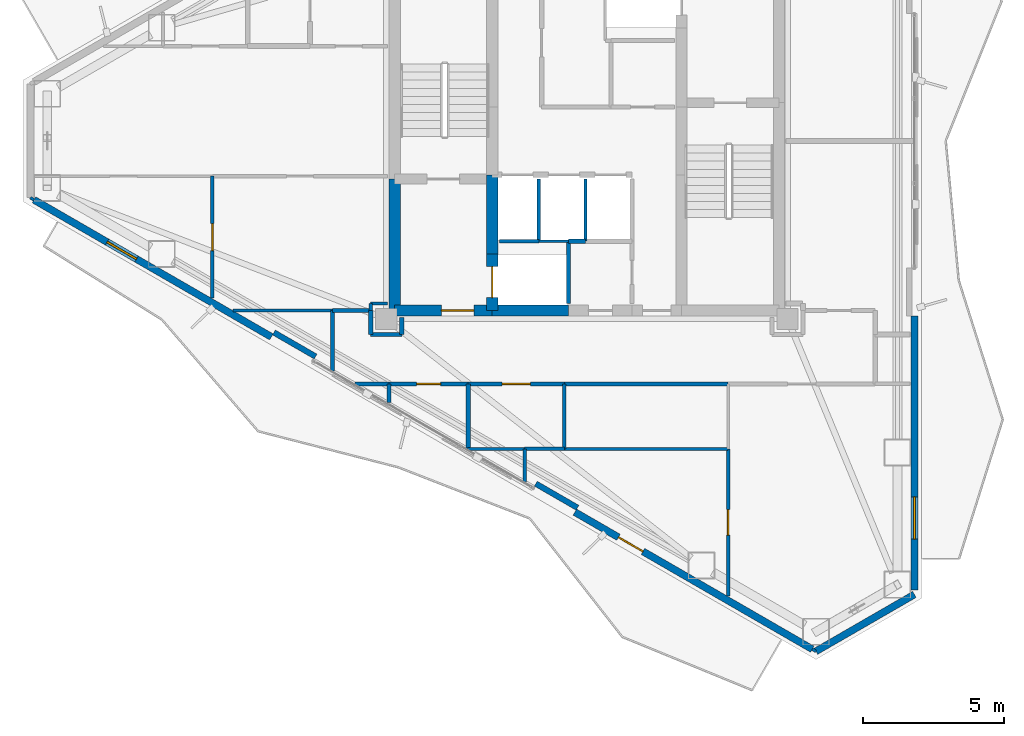
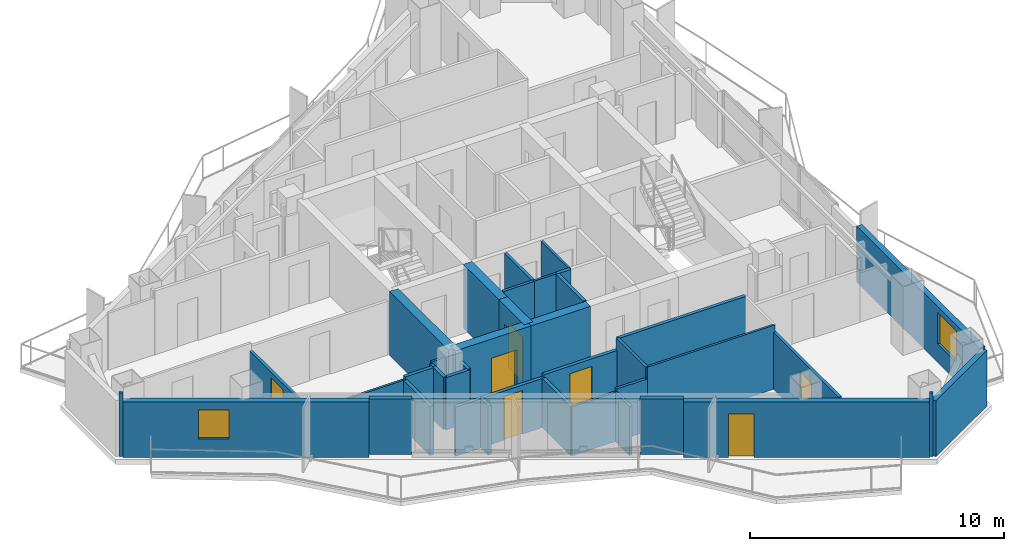
# One storey, part 16 of 21: 40 walls, 7 doors, 2 windows, 9 openings.
"""IFC4 building model written with IfcOpenShell, lengths in metres."""

from ifc_helpers import new_model, si_unit, direction, frame, frame_2d, origin, place, context, subcontext, project, spatial, rectangle, extrude, material, layer, layer_set, type_object, element, fill, save


model = new_model("IFC4")

# Units and contexts
model_context = context("Model", 3, precision=1e-05, world=origin(), true_north=direction((0.0, 1.0)))
body_context = subcontext(model_context, "Body", "Model", "MODEL_VIEW")
ifc_project = project(units=[si_unit("LENGTHUNIT", "METRE"), si_unit("AREAUNIT", "SQUARE_METRE"), si_unit("VOLUMEUNIT", "CUBIC_METRE"), si_unit("PLANEANGLEUNIT", "RADIAN"), si_unit("MASSUNIT", "GRAM", prefix="KILO")], contexts=[model_context])

# Site, building, storey
site_placement = place(None, origin())
site = spatial("IfcSite", under=ifc_project, at=site_placement, CompositionType="ELEMENT")
building_placement = place(site_placement, origin())
building = spatial("IfcBuilding", under=site, at=building_placement, Name="Mersakhor Tower and Convention Hall", CompositionType="ELEMENT")
storey_placement = place(building_placement, frame((0.0, 0.0, 185.39990234375)))
storey = spatial("IfcBuildingStorey", under=building, at=storey_placement, Name="L51", CompositionType="ELEMENT", Elevation=185.39990234375)

# Wall
ifc_material_1 = material(Name="Precast concrete C40/50", Category="concrete")
ifc_layer_1 = layer(ifc_material_1, 0.25)
ifc_layer_set_1 = layer_set([ifc_layer_1], Name="Precast concrete C40/50")
wall_type_1 = type_object("IfcWallType", Name="WL-EXT-250", PredefinedType="SOLIDWALL", material=ifc_layer_set_1)
wall_1_placement = place(storey_placement, frame((40.58837890625, 10.70166015625, 0.0), z_axis=(0.0, 0.0, 1.0), x_axis=(-0.866023907196, -0.500002592159, 0.0)))
element("IfcWall", 1, at=wall_1_placement, inside=storey, type_object=wall_type_1, Name="L51 Chamfer Braced Spandrel Wall C2", PredefinedType="SOLIDWALL", context=body_context, shape_type="SweptSolid", body=[
    extrude(rectangle(XDim=4.0234375, YDim=0.25, at=frame_2d((2.01171875, 0.0))), origin(), (0.0, 0.0, 1.0), 2.690185546875),
])

# Wall, opening, window
wall_2_placement = place(storey_placement, frame((40.58837890625, 20.550537109375, 0.0), z_axis=(0.0, 0.0, 1.0), x_axis=(0.0, -1.0, 0.0)))
wall_2 = element("IfcWall", 2, at=wall_2_placement, inside=storey, type_object=wall_type_1, Name="L51 Exterior Facade Wall F2-B3", PredefinedType="SOLIDWALL", context=body_context, shape_type="SweptSolid", body=[
    extrude(rectangle(XDim=9.698974609375, YDim=0.25, at=frame_2d((4.849609375, 0.0))), origin(), (0.0, 0.0, 1.0), 2.690185546875),
])
opening_1_placement = place(wall_2_placement, frame((6.39501953125, 0.0, 0.89990234375)))
opening_1 = element("IfcOpeningElement", 3, at=opening_1_placement, cuts=wall_2, Name="Opening W-02", PredefinedType="OPENING", context=body_context, shape_type="SweptSolid", body=[
    extrude(rectangle(XDim=1.5, YDim=1.5, at=frame_2d((0.75, 0.75))), frame((0.0, 0.135009765625, 0.0), z_axis=(0.0, -1.0, 0.0), x_axis=(1.0, 0.0, 0.0)), (0.0, 0.0, 1.0), 0.27001953125),
])
ifc_material_2 = material(Name="Dark solar low-E glazed aluminium window", Category="aluminium")
window_type_1 = type_object("IfcWindowType", Name="WN-RES-150x150", PartitioningType="SINGLE_PANEL", PredefinedType="WINDOW", material=ifc_material_2)
window_1_placement = place(opening_1_placement, origin())
window_1 = element("IfcWindow", 4, at=window_1_placement, inside=storey, type_object=window_type_1, Name="L51 Facade Punched Window F2-B3", OverallHeight=1.5, OverallWidth=1.5, PartitioningType="SINGLE_PANEL", PredefinedType="WINDOW", context=body_context, shape_type="SweptSolid", body=[
    extrude(rectangle(XDim=1.5, YDim=1.5, at=frame_2d((0.75, 0.75))), frame((0.0, 0.030029296875, 0.0), z_axis=(0.0, -1.0, 0.0), x_axis=(1.0, 0.0, 0.0)), (0.0, 0.0, 1.0), 0.06005859375),
])
fill(opening_1, window_1)

# Wall, opening, door
wall_3_placement = place(storey_placement, frame((36.97412109375, 8.764892578125, 0.0), z_axis=(0.0, 0.0, 1.0), x_axis=(-0.866016233231, 0.500015883528, 0.0)))
wall_3 = element("IfcWall", 5, at=wall_3_placement, inside=storey, type_object=wall_type_1, Name="L51 Exterior Facade Wall F3-B1", PredefinedType="SOLIDWALL", context=body_context, shape_type="SweptSolid", body=[
    extrude(rectangle(XDim=9.698974609375, YDim=0.25, at=frame_2d((4.849609375, 0.0))), origin(), (0.0, 0.0, 1.0), 2.690185546875),
])
opening_2_placement = place(wall_3_placement, frame((6.9189453125, 0.0, 0.0)))
opening_2 = element("IfcOpeningElement", 6, at=opening_2_placement, cuts=wall_3, Name="Opening BD-01", PredefinedType="OPENING", context=body_context, shape_type="SweptSolid", body=[
    extrude(rectangle(XDim=1.0, YDim=2.10009765625, at=frame_2d((0.5, 1.050048828125))), frame((0.0, 0.135009765625, 0.0), z_axis=(0.0, -1.0, 0.0), x_axis=(1.0, 0.0, 0.0)), (0.0, 0.0, 1.0), 0.27001953125),
])
ifc_material_3 = material(Name="Thermally broken dark aluminium and safety glass", Category="aluminium")
door_type_1 = type_object("IfcDoorType", Name="DR-BAL-100x210", OperationType="NOTDEFINED", PredefinedType="DOOR", material=ifc_material_3)
door_1_placement = place(opening_2_placement, origin())
door_1 = element("IfcDoor", 7, at=door_1_placement, inside=storey, type_object=door_type_1, Name="L51 Balcony Terrace Door F3-B1", OperationType="SINGLE_SWING_LEFT", OverallHeight=2.10009765625, OverallWidth=1.0, PredefinedType="DOOR", context=body_context, shape_type="SweptSolid", body=[
    extrude(rectangle(XDim=1.0, YDim=2.10009765625, at=frame_2d((0.5, 1.050048828125))), frame((0.0, 0.02490234375, 0.0), z_axis=(0.0, -1.0, 0.0), x_axis=(1.0, 0.0, 0.0)), (0.0, 0.0, 1.0), 0.050048828125),
])
fill(opening_2, door_1)

# Wall, opening, window
wall_4_placement = place(storey_placement, frame((17.8369140625, 19.81396484375, 0.0), z_axis=(0.0, 0.0, 1.0), x_axis=(-0.866027133173, 0.499997004599, 0.0)))
wall_4 = element("IfcWall", 8, at=wall_4_placement, inside=storey, type_object=wall_type_1, Name="L51 Exterior Facade Wall F3-B3", PredefinedType="SOLIDWALL", context=body_context, shape_type="SweptSolid", body=[
    extrude(rectangle(XDim=9.69873046875, YDim=0.25, at=frame_2d((4.849365234375, 0.0))), origin(), (0.0, 0.0, 1.0), 2.690185546875),
])
opening_3_placement = place(wall_4_placement, frame((5.511962890625, 0.0, 0.89990234375)))
opening_3 = element("IfcOpeningElement", 9, at=opening_3_placement, cuts=wall_4, Name="Opening W-01", PredefinedType="OPENING", context=body_context, shape_type="SweptSolid", body=[
    extrude(rectangle(XDim=1.199951171875, YDim=1.39990234375, at=frame_2d((0.60009765625, 0.699951171875))), frame((0.0, 0.135009765625, 0.0), z_axis=(0.0, -1.0, 0.0), x_axis=(1.0, 0.0, 0.0)), (0.0, 0.0, 1.0), 0.27001953125),
])
ifc_material_4 = material(Name="Dark solar low-E glazed aluminium window", Category="aluminium")
window_type_2 = type_object("IfcWindowType", Name="WN-RES-120x150", PartitioningType="SINGLE_PANEL", PredefinedType="WINDOW", material=ifc_material_4)
window_2_placement = place(opening_3_placement, origin())
window_2 = element("IfcWindow", 10, at=window_2_placement, inside=storey, type_object=window_type_2, Name="L51 Bedroom Facade Window F3-B3-1", OverallHeight=1.39990234375, OverallWidth=1.199951171875, PartitioningType="SINGLE_PANEL", PredefinedType="WINDOW", context=body_context, shape_type="SweptSolid", body=[
    extrude(rectangle(XDim=1.199951171875, YDim=1.39990234375, at=frame_2d((0.60009765625, 0.699951171875))), frame((0.0, 0.030029296875, 0.0), z_axis=(0.0, -1.0, 0.0), x_axis=(1.0, 0.0, 0.0)), (0.0, 0.0, 1.0), 0.06005859375),
])
fill(opening_3, window_2)

# Walls
ifc_material_5 = material(Name="Precast concrete C40/50", Category="concrete")
ifc_layer_2 = layer(ifc_material_5, 0.199951171875)
ifc_layer_set_2 = layer_set([ifc_layer_2], Name="Precast concrete C40/50")
wall_type_2 = type_object("IfcWallType", Name="WL-PAR-200", PredefinedType="PARAPET", material=ifc_layer_set_2)
wall_5_placement = place(storey_placement, frame((28.664794921875, 13.770263671875, 0.0), z_axis=(0.0, 0.0, 1.0), x_axis=(-0.866025371046, 0.500000056704, 0.0)))
element("IfcWall", 11, at=wall_5_placement, inside=storey, type_object=wall_type_2, Name="L51 Column Pier Cladding Wall F3-C1", PredefinedType="PARAPET", context=body_context, shape_type="SweptSolid", body=[
    extrude(rectangle(XDim=1.7001953125, YDim=0.199951171875, at=frame_2d((0.85009765625, 0.0))), origin(), (0.0, 0.0, 1.0), 2.690185546875),
])
wall_6_placement = place(storey_placement, frame((19.399169921875, 19.119873046875, 0.0), z_axis=(0.0, 0.0, 1.0), x_axis=(-0.86605165483, 0.499954529098, 0.0)))
element("IfcWall", 12, at=wall_6_placement, inside=storey, type_object=wall_type_2, Name="L51 Column Pier Cladding Wall F3-C2", PredefinedType="PARAPET", context=body_context, shape_type="SweptSolid", body=[
    extrude(rectangle(XDim=1.699951171875, YDim=0.199951171875, at=frame_2d((0.85009765625, 0.0))), origin(), (0.0, 0.0, 1.0), 2.690185546875),
])
ifc_material_6 = material(Name="Lightweight gypsum partition", Category="other")
ifc_layer_3 = layer(ifc_material_6, 0.10009765625)
ifc_layer_set_3 = layer_set([ifc_layer_3], Name="Lightweight gypsum partition")
wall_type_3 = type_object("IfcWallType", Name="WL-PRT-100", PredefinedType="PARTITIONING", material=ifc_layer_set_3)
wall_7_placement = place(storey_placement, frame((27.300048828125, 23.199951171875, 0.0), z_axis=(0.0, 0.0, 1.0), x_axis=(1.0, 0.0, 0.0)))
element("IfcWall", 13, at=wall_7_placement, inside=storey, type_object=wall_type_3, Name="L51 Interior Partition Wall P-002", PredefinedType="PARTITIONING", context=body_context, shape_type="SweptSolid", body=[
    extrude(rectangle(XDim=1.050048828125, YDim=0.10009765625, at=frame_2d((0.52490234375, 0.0))), origin(), (0.0, 0.0, 1.0), 3.070068359375),
])
wall_8_placement = place(storey_placement, frame((28.949951171875, 25.39990234375, 0.0), z_axis=(0.0, 0.0, 1.0), x_axis=(0.0, -1.0, 0.0)))
element("IfcWall", 14, at=wall_8_placement, inside=storey, type_object=wall_type_3, Name="L51 Interior Partition Wall P-008", PredefinedType="PARTITIONING", context=body_context, shape_type="SweptSolid", body=[
    extrude(rectangle(XDim=2.199951171875, YDim=0.10009765625, at=frame_2d((1.10009765625, 0.0))), origin(), (0.0, 0.0, 1.0), 3.070068359375),
])
wall_9_placement = place(storey_placement, frame((37.10400390625, 8.68994140625, 0.0), z_axis=(0.0, 0.0, 1.0), x_axis=(-0.866131372301, 0.499816412211, 0.0)))
element("IfcWall", 15, at=wall_9_placement, inside=storey, type_object=wall_type_3, Name="L51 Interior Partition Wall P-070", PredefinedType="PARTITIONING", context=body_context, shape_type="SweptSolid", body=[
    extrude(rectangle(XDim=0.14990234375, YDim=0.10009765625, at=frame_2d((0.074951171875, 0.0))), origin(), (0.0, 0.0, 1.0), 3.070068359375),
])
wall_10_placement = place(storey_placement, frame((26.800048828125, 15.85009765625, 0.0), z_axis=(0.0, 0.0, 1.0), x_axis=(-1.0, 0.0, 0.0)))
element("IfcWall", 16, at=wall_10_placement, inside=storey, type_object=wall_type_3, Name="L51 Interior Partition Wall P-084", PredefinedType="PARTITIONING", context=body_context, shape_type="SweptSolid", body=[
    extrude(rectangle(XDim=2.028564453125, YDim=0.10009765625, at=frame_2d((1.01416015625, 0.0))), origin(), (0.0, 0.0, 1.0), 2.364990234375),
])
wall_11_placement = place(storey_placement, frame((28.199951171875, 15.85009765625, 0.0), z_axis=(0.0, 0.0, 1.0), x_axis=(1.0, 0.0, 0.0)))
element("IfcWall", 17, at=wall_11_placement, inside=storey, type_object=wall_type_3, Name="L51 Interior Partition Wall P-086", PredefinedType="PARTITIONING", context=body_context, shape_type="SweptSolid", body=[
    extrude(rectangle(XDim=5.800048828125, YDim=0.10009765625, at=frame_2d((2.89990234375, 0.0))), origin(), (0.0, 0.0, 1.0), 3.070068359375),
])
wall_12_placement = place(storey_placement, frame((9.437255859375, 24.662841796875, 0.0), z_axis=(0.0, 0.0, 1.0), x_axis=(-0.866239593359, 0.499628829129, 0.0)))
element("IfcWall", 18, at=wall_12_placement, inside=storey, type_object=wall_type_3, Name="L51 Interior Partition Wall P-092", PredefinedType="PARTITIONING", context=body_context, shape_type="SweptSolid", body=[
    extrude(rectangle(XDim=0.150390625, YDim=0.10009765625, at=frame_2d((0.0751953125, 0.0))), origin(), (0.0, 0.0, 1.0), 3.070068359375),
])
wall_13_placement = place(storey_placement, frame((21.949951171875, 21.0, 0.0), z_axis=(0.0, 0.0, 1.0), x_axis=(-1.0, 0.0, 0.0)))
element("IfcWall", 19, at=wall_13_placement, inside=storey, type_object=wall_type_3, Name="L51 Interior Partition Wall P-094", PredefinedType="PARTITIONING", context=body_context, shape_type="SweptSolid", body=[
    extrude(rectangle(XDim=0.599853515625, YDim=0.10009765625, at=frame_2d((0.2998046875, 0.0))), origin(), (0.0, 0.0, 1.0), 2.59521484375),
])
wall_14_placement = place(storey_placement, frame((20.0, 20.75, 0.0), z_axis=(0.0, 0.0, 1.0), x_axis=(-1.0, 0.0, 0.0)))
element("IfcWall", 20, at=wall_14_placement, inside=storey, type_object=wall_type_3, Name="L51 Interior Partition Wall P-096", PredefinedType="PARTITIONING", context=body_context, shape_type="SweptSolid", body=[
    extrude(rectangle(XDim=3.513671875, YDim=0.10009765625, at=frame_2d((1.7568359375, 0.0))), origin(), (0.0, 0.0, 1.0), 2.364990234375),
])
ifc_material_7 = material(Name="Gypsum board acoustic partition", Category="other")
ifc_layer_4 = layer(ifc_material_7, 0.125)
ifc_layer_set_4 = layer_set([ifc_layer_4], Name="Gypsum board acoustic partition")
wall_type_4 = type_object("IfcWallType", Name="WL-PRT-125", PredefinedType="PARTITIONING", material=ifc_layer_set_4)
wall_15_placement = place(storey_placement, frame((25.89990234375, 23.199951171875, 0.0), z_axis=(0.0, 0.0, 1.0), x_axis=(1.0, 0.0, 0.0)))
element("IfcWall", 21, at=wall_15_placement, inside=storey, type_object=wall_type_4, Name="L51 Interior Partition Wall P-001", PredefinedType="PARTITIONING", context=body_context, shape_type="SweptSolid", body=[
    extrude(rectangle(XDim=1.400146484375, YDim=0.125, at=frame_2d((0.7001953125, 0.0))), origin(), (0.0, 0.0, 1.0), 3.070068359375),
])
wall_16_placement = place(storey_placement, frame((27.300048828125, 25.39990234375, 0.0), z_axis=(0.0, 0.0, 1.0), x_axis=(0.0, -1.0, 0.0)))
element("IfcWall", 22, at=wall_16_placement, inside=storey, type_object=wall_type_4, Name="L51 Interior Partition Wall P-007", PredefinedType="PARTITIONING", context=body_context, shape_type="SweptSolid", body=[
    extrude(rectangle(XDim=2.199951171875, YDim=0.125, at=frame_2d((1.10009765625, 0.0))), origin(), (0.0, 0.0, 1.0), 3.070068359375),
])

# Wall, opening, door
wall_17_placement = place(storey_placement, frame((34.0, 10.654296875, 0.0), z_axis=(0.0, 0.0, 1.0), x_axis=(0.0, 1.0, 0.0)))
wall_17 = element("IfcWall", 23, at=wall_17_placement, inside=storey, type_object=wall_type_4, Name="L51 Interior Partition Wall P-071", PredefinedType="PARTITIONING", context=body_context, shape_type="SweptSolid", body=[
    extrude(rectangle(XDim=5.19580078125, YDim=0.125, at=frame_2d((2.597900390625, 0.0))), origin(), (0.0, 0.0, 1.0), 2.734619140625),
])
opening_4_placement = place(wall_17_placement, frame((2.14794921875, 0.0, 0.0)))
opening_4 = element("IfcOpeningElement", 24, at=opening_4_placement, cuts=wall_17, Name="Opening WD-01", PredefinedType="OPENING", context=body_context, shape_type="SweptSolid", body=[
    extrude(rectangle(XDim=0.89990234375, YDim=2.10009765625, at=frame_2d((0.449951171875, 1.050048828125))), frame((0.0, 0.072509765625, 0.0), z_axis=(0.0, -1.0, 0.0), x_axis=(1.0, 0.0, 0.0)), (0.0, 0.0, 1.0), 0.14501953125),
])
ifc_material_8 = material(Name="Solid-core hardwood leaf in painted steel frame", Category="steel")
door_type_2 = type_object("IfcDoorType", Name="DR-INT-WET-090x210", OperationType="NOTDEFINED", PredefinedType="DOOR", material=ifc_material_8)
door_2_placement = place(opening_4_placement, origin())
door_2 = element("IfcDoor", 25, at=door_2_placement, inside=storey, type_object=door_type_2, Name="L51 L51 South-East Shared Pantry to L51 Floor Residents Study Room 2-3 Door", OperationType="SINGLE_SWING_RIGHT", OverallHeight=2.10009765625, OverallWidth=0.89990234375, PredefinedType="DOOR", context=body_context, shape_type="SweptSolid", body=[
    extrude(rectangle(XDim=0.89990234375, YDim=2.10009765625, at=frame_2d((0.449951171875, 1.050048828125))), frame((0.0, 0.02490234375, 0.0), z_axis=(0.0, -1.0, 0.0), x_axis=(1.0, 0.0, 0.0)), (0.0, 0.0, 1.0), 0.050048828125),
])
fill(opening_4, door_2)

# Walls
wall_18_placement = place(storey_placement, frame((28.199951171875, 15.85009765625, 0.0), z_axis=(0.0, 0.0, 1.0), x_axis=(-1.0, 0.0, 0.0)))
element("IfcWall", 26, at=wall_18_placement, inside=storey, type_object=wall_type_4, Name="L51 Interior Partition Wall P-083", PredefinedType="PARTITIONING", context=body_context, shape_type="SweptSolid", body=[
    extrude(rectangle(XDim=1.39990234375, YDim=0.125, at=frame_2d((0.699951171875, 0.0))), origin(), (0.0, 0.0, 1.0), 2.518310546875),
])
wall_19_placement = place(storey_placement, frame((28.199951171875, 18.14990234375, 0.0), z_axis=(0.0, 0.0, 1.0), x_axis=(0.0, -1.0, 0.0)))
element("IfcWall", 27, at=wall_19_placement, inside=storey, type_object=wall_type_4, Name="L51 Interior Partition Wall P-085", PredefinedType="PARTITIONING", context=body_context, shape_type="SweptSolid", body=[
    extrude(rectangle(XDim=2.2998046875, YDim=0.125, at=frame_2d((1.14990234375, 0.0))), origin(), (0.0, 0.0, 1.0), 3.070068359375),
])
wall_20_placement = place(storey_placement, frame((26.800048828125, 14.682861328125, 0.0), z_axis=(0.0, 0.0, 1.0), x_axis=(0.0, 1.0, 0.0)))
element("IfcWall", 28, at=wall_20_placement, inside=storey, type_object=wall_type_4, Name="L51 Interior Partition Wall P-087", PredefinedType="PARTITIONING", context=body_context, shape_type="SweptSolid", body=[
    extrude(rectangle(XDim=1.167236328125, YDim=0.125, at=frame_2d((0.58349609375, 0.0))), origin(), (0.0, 0.0, 1.0), 2.364990234375),
])

# Wall, opening, door
wall_21_placement = place(storey_placement, frame((15.75, 25.5, 0.0), z_axis=(0.0, 0.0, 1.0), x_axis=(0.0, -1.0, 0.0)))
wall_21 = element("IfcWall", 29, at=wall_21_placement, inside=storey, type_object=wall_type_4, Name="L51 Interior Partition Wall P-093", PredefinedType="PARTITIONING", context=body_context, shape_type="SweptSolid", body=[
    extrude(rectangle(XDim=4.30908203125, YDim=0.125, at=frame_2d((2.154541015625, 0.0))), origin(), (0.0, 0.0, 1.0), 2.364990234375),
])
opening_5_placement = place(wall_21_placement, frame((1.6796875, 0.0, 0.0)))
opening_5 = element("IfcOpeningElement", 30, at=opening_5_placement, cuts=wall_21, Name="Opening RD-01", PredefinedType="OPENING", context=body_context, shape_type="SweptSolid", body=[
    extrude(rectangle(XDim=0.949951171875, YDim=2.10009765625, at=frame_2d((0.47509765625, 1.050048828125))), frame((0.0, 0.072509765625, 0.0), z_axis=(0.0, -1.0, 0.0), x_axis=(1.0, 0.0, 0.0)), (0.0, 0.0, 1.0), 0.14501953125),
])
ifc_material_9 = material(Name="Solid-core hardwood leaf in painted steel frame", Category="steel")
door_type_3 = type_object("IfcDoorType", Name="DR-INT-RM-095x210", OperationType="NOTDEFINED", PredefinedType="DOOR", material=ifc_material_9)
door_3_placement = place(opening_5_placement, origin())
door_3 = element("IfcDoor", 31, at=door_3_placement, inside=storey, type_object=door_type_3, Name="L51 L51 Flat W3 Bedroom 1 to L51 Flat W3 Study Room Door", OperationType="SINGLE_SWING_RIGHT", OverallHeight=2.10009765625, OverallWidth=0.949951171875, PredefinedType="DOOR", context=body_context, shape_type="SweptSolid", body=[
    extrude(rectangle(XDim=0.949951171875, YDim=2.10009765625, at=frame_2d((0.47509765625, 1.050048828125))), frame((0.0, 0.02490234375, 0.0), z_axis=(0.0, -1.0, 0.0), x_axis=(1.0, 0.0, 0.0)), (0.0, 0.0, 1.0), 0.050048828125),
])
fill(opening_5, door_3)

# Walls
wall_22_placement = place(storey_placement, frame((21.35009765625, 21.0, 0.0), z_axis=(0.0, 0.0, 1.0), x_axis=(0.0, -1.0, 0.0)))
element("IfcWall", 32, at=wall_22_placement, inside=storey, type_object=wall_type_4, Name="L51 Interior Partition Wall P-095", PredefinedType="PARTITIONING", context=body_context, shape_type="SweptSolid", body=[
    extrude(rectangle(XDim=0.25, YDim=0.125, at=frame_2d((0.125, 0.0))), origin(), (0.0, 0.0, 1.0), 2.518310546875),
])
ifc_material_10 = material(Name="Fire-rated gypsum board stud partition", Category="other")
ifc_layer_5 = layer(ifc_material_10, 0.14990234375)
ifc_layer_set_5 = layer_set([ifc_layer_5], Name="Fire-rated gypsum board stud partition")
wall_type_5 = type_object("IfcWallType", Name="WL-PRT-150", PredefinedType="PARTITIONING", material=ifc_layer_set_5)
wall_23_placement = place(storey_placement, frame((28.35009765625, 23.199951171875, 0.0), z_axis=(0.0, 0.0, 1.0), x_axis=(0.0, -1.0, 0.0)))
element("IfcWall", 33, at=wall_23_placement, inside=storey, type_object=wall_type_5, Name="L51 Interior Partition Wall P-003", PredefinedType="PARTITIONING", context=body_context, shape_type="SweptSolid", body=[
    extrude(rectangle(XDim=2.199951171875, YDim=0.14990234375, at=frame_2d((1.10009765625, 0.0))), origin(), (0.0, 0.0, 1.0), 3.070068359375),
])
wall_24_placement = place(storey_placement, frame((28.949951171875, 23.199951171875, 0.0), z_axis=(0.0, 0.0, 1.0), x_axis=(-1.0, 0.0, 0.0)))
element("IfcWall", 34, at=wall_24_placement, inside=storey, type_object=wall_type_5, Name="L51 Interior Partition Wall P-009", PredefinedType="PARTITIONING", context=body_context, shape_type="SweptSolid", body=[
    extrude(rectangle(XDim=0.599853515625, YDim=0.14990234375, at=frame_2d((0.2998046875, 0.0))), origin(), (0.0, 0.0, 1.0), 3.070068359375),
])
wall_25_placement = place(storey_placement, frame((20.0, 20.75, 0.0), z_axis=(0.0, 0.0, 1.0), x_axis=(1.0, 0.0, 0.0)))
element("IfcWall", 35, at=wall_25_placement, inside=storey, type_object=wall_type_5, Name="L51 Interior Partition Wall P-032", PredefinedType="PARTITIONING", context=body_context, shape_type="SweptSolid", body=[
    extrude(rectangle(XDim=1.35009765625, YDim=0.14990234375, at=frame_2d((0.675048828125, 0.0))), origin(), (0.0, 0.0, 1.0), 2.518310546875),
])
wall_26_placement = place(storey_placement, frame((21.35009765625, 20.75, 0.0), z_axis=(0.0, 0.0, 1.0), x_axis=(0.0, -1.0, 0.0)))
element("IfcWall", 36, at=wall_26_placement, inside=storey, type_object=wall_type_5, Name="L51 Interior Partition Wall P-033", PredefinedType="PARTITIONING", context=body_context, shape_type="SweptSolid", body=[
    extrude(rectangle(XDim=0.85009765625, YDim=0.14990234375, at=frame_2d((0.425048828125, 0.0))), origin(), (0.0, 0.0, 1.0), 2.518310546875),
])
wall_27_placement = place(storey_placement, frame((21.35009765625, 19.89990234375, 0.0), z_axis=(0.0, 0.0, 1.0), x_axis=(1.0, 0.0, 0.0)))
element("IfcWall", 37, at=wall_27_placement, inside=storey, type_object=wall_type_5, Name="L51 Interior Partition Wall P-034", PredefinedType="PARTITIONING", context=body_context, shape_type="SweptSolid", body=[
    extrude(rectangle(XDim=1.099853515625, YDim=0.14990234375, at=frame_2d((0.5498046875, 0.0))), origin(), (0.0, 0.0, 1.0), 2.518310546875),
])
wall_28_placement = place(storey_placement, frame((22.449951171875, 19.89990234375, 0.0), z_axis=(0.0, 0.0, 1.0), x_axis=(0.0, 1.0, 0.0)))
element("IfcWall", 38, at=wall_28_placement, inside=storey, type_object=wall_type_5, Name="L51 Interior Partition Wall P-035", PredefinedType="PARTITIONING", context=body_context, shape_type="SweptSolid", body=[
    extrude(rectangle(XDim=0.60009765625, YDim=0.14990234375, at=frame_2d((0.300048828125, 0.0))), origin(), (0.0, 0.0, 1.0), 2.518310546875),
])
wall_29_placement = place(storey_placement, frame((34.0, 18.14990234375, 0.0), z_axis=(0.0, 0.0, 1.0), x_axis=(-1.0, 0.0, 0.0)))
element("IfcWall", 39, at=wall_29_placement, inside=storey, type_object=wall_type_5, Name="L51 Interior Partition Wall P-043", PredefinedType="PARTITIONING", context=body_context, shape_type="SweptSolid", body=[
    extrude(rectangle(XDim=5.800048828125, YDim=0.14990234375, at=frame_2d((2.89990234375, 0.0))), origin(), (0.0, 0.0, 1.0), 3.070068359375),
])

# Wall, opening, door
wall_30_placement = place(storey_placement, frame((28.199951171875, 18.14990234375, 0.0), z_axis=(0.0, 0.0, 1.0), x_axis=(-1.0, 0.0, 0.0)))
wall_30 = element("IfcWall", 40, at=wall_30_placement, inside=storey, type_object=wall_type_5, Name="L51 Interior Partition Wall P-044", PredefinedType="PARTITIONING", context=body_context, shape_type="SweptSolid", body=[
    extrude(rectangle(XDim=3.39990234375, YDim=0.14990234375, at=frame_2d((1.699951171875, 0.0))), origin(), (0.0, 0.0, 1.0), 2.518310546875),
])
opening_6_placement = place(wall_30_placement, frame((1.199951171875, 0.0, 0.0)))
opening_6 = element("IfcOpeningElement", 41, at=opening_6_placement, cuts=wall_30, Name="Opening FD-01", PredefinedType="OPENING", context=body_context, shape_type="SweptSolid", body=[
    extrude(rectangle(XDim=1.0, YDim=2.14990234375, at=frame_2d((0.5, 1.074951171875))), frame((0.0, 0.0849609375, 0.0), z_axis=(0.0, -1.0, 0.0), x_axis=(1.0, 0.0, 0.0)), (0.0, 0.0, 1.0), 0.169921875),
])
ifc_material_11 = material(Name="Fire-rated hardwood leaf and painted steel frame", Category="steel")
door_type_4 = type_object("IfcDoorType", Name="DR-INT-FLT-100x215", OperationType="NOTDEFINED", PredefinedType="DOOR", material=ifc_material_11)
door_4_placement = place(opening_6_placement, origin())
door_4 = element("IfcDoor", 42, at=door_4_placement, inside=storey, type_object=door_type_4, Name="L51 Residential South Gallery Corridor to L51 Floor Shared Tea Pantry 2-2 Door", OperationType="SINGLE_SWING_RIGHT", OverallHeight=2.14990234375, OverallWidth=1.0, PredefinedType="DOOR", context=body_context, shape_type="SweptSolid", body=[
    extrude(rectangle(XDim=1.0, YDim=2.14990234375, at=frame_2d((0.5, 1.074951171875))), frame((0.0, 0.02490234375, 0.0), z_axis=(0.0, -1.0, 0.0), x_axis=(1.0, 0.0, 0.0)), (0.0, 0.0, 1.0), 0.050048828125),
])
fill(opening_6, door_4)

wall_31_placement = place(storey_placement, frame((24.800048828125, 18.14990234375, 0.0), z_axis=(0.0, 0.0, 1.0), x_axis=(-1.0, 0.0, 0.0)))
wall_31 = element("IfcWall", 43, at=wall_31_placement, inside=storey, type_object=wall_type_5, Name="L51 Interior Partition Wall P-045", PredefinedType="PARTITIONING", context=body_context, shape_type="SweptSolid", body=[
    extrude(rectangle(XDim=2.800048828125, YDim=0.14990234375, at=frame_2d((1.39990234375, 0.0))), origin(), (0.0, 0.0, 1.0), 2.364990234375),
])
opening_7_placement = place(wall_31_placement, frame((0.97509765625, 0.0, 0.0)))
opening_7 = element("IfcOpeningElement", 44, at=opening_7_placement, cuts=wall_31, Name="Opening SVD-01", PredefinedType="OPENING", context=body_context, shape_type="SweptSolid", body=[
    extrude(rectangle(XDim=0.85009765625, YDim=2.10009765625, at=frame_2d((0.425048828125, 1.050048828125))), frame((0.0, 0.0849609375, 0.0), z_axis=(0.0, -1.0, 0.0), x_axis=(1.0, 0.0, 0.0)), (0.0, 0.0, 1.0), 0.169921875),
])
ifc_material_12 = material(Name="Fire-rated hardwood leaf and painted steel frame", Category="steel")
door_type_5 = type_object("IfcDoorType", Name="DR-INT-SVC-085x210", OperationType="NOTDEFINED", PredefinedType="DOOR", material=ifc_material_12)
door_5_placement = place(opening_7_placement, origin())
door_5 = element("IfcDoor", 45, at=door_5_placement, inside=storey, type_object=door_type_5, Name="L51 Residential South Gallery Corridor to L51 Floor Household Store Room 2-1 Door", OperationType="SINGLE_SWING_LEFT", OverallHeight=2.10009765625, OverallWidth=0.85009765625, PredefinedType="DOOR", context=body_context, shape_type="SweptSolid", body=[
    extrude(rectangle(XDim=0.85009765625, YDim=2.10009765625, at=frame_2d((0.425048828125, 1.050048828125))), frame((0.0, 0.02490234375, 0.0), z_axis=(0.0, -1.0, 0.0), x_axis=(1.0, 0.0, 0.0)), (0.0, 0.0, 1.0), 0.050048828125),
])
fill(opening_7, door_5)

# Walls
wall_32_placement = place(storey_placement, frame((22.0, 18.14990234375, 0.0), z_axis=(0.0, 0.0, 1.0), x_axis=(-1.0, 0.0, 0.0)))
element("IfcWall", 46, at=wall_32_placement, inside=storey, type_object=wall_type_5, Name="L51 Interior Partition Wall P-046", PredefinedType="PARTITIONING", context=body_context, shape_type="SweptSolid", body=[
    extrude(rectangle(XDim=1.2119140625, YDim=0.14990234375, at=frame_2d((0.60595703125, 0.0))), origin(), (0.0, 0.0, 1.0), 2.364990234375),
])
wall_33_placement = place(storey_placement, frame((20.0, 18.60888671875, 0.0), z_axis=(0.0, 0.0, 1.0), x_axis=(0.0, 1.0, 0.0)))
element("IfcWall", 47, at=wall_33_placement, inside=storey, type_object=wall_type_5, Name="L51 Interior Partition Wall P-047", PredefinedType="PARTITIONING", context=body_context, shape_type="SweptSolid", body=[
    extrude(rectangle(XDim=2.14111328125, YDim=0.14990234375, at=frame_2d((1.070556640625, 0.0))), origin(), (0.0, 0.0, 1.0), 2.364990234375),
])
wall_34_placement = place(storey_placement, frame((24.800048828125, 18.14990234375, 0.0), z_axis=(0.0, 0.0, 1.0), x_axis=(0.0, -1.0, 0.0)))
element("IfcWall", 48, at=wall_34_placement, inside=storey, type_object=wall_type_5, Name="L51 Interior Partition Wall P-081", PredefinedType="PARTITIONING", context=body_context, shape_type="SweptSolid", body=[
    extrude(rectangle(XDim=2.312255859375, YDim=0.14990234375, at=frame_2d((1.15625, 0.0))), origin(), (0.0, 0.0, 1.0), 2.364990234375),
])
wall_35_placement = place(storey_placement, frame((22.0, 17.499267578125, 0.0), z_axis=(0.0, 0.0, 1.0), x_axis=(0.0, 1.0, 0.0)))
element("IfcWall", 49, at=wall_35_placement, inside=storey, type_object=wall_type_5, Name="L51 Interior Partition Wall P-082", PredefinedType="PARTITIONING", context=body_context, shape_type="SweptSolid", body=[
    extrude(rectangle(XDim=0.650634765625, YDim=0.14990234375, at=frame_2d((0.3251953125, 0.0))), origin(), (0.0, 0.0, 1.0), 2.364990234375),
])
ifc_material_13 = material(Name="Concrete C60/75", Category="concrete")
ifc_layer_6 = layer(ifc_material_13, 0.39990234375)
ifc_layer_set_6 = layer_set([ifc_layer_6], Name="Concrete C60/75")
wall_type_6 = type_object("IfcWallType", Name="WL-SHR-400", PredefinedType="SHEAR", material=ifc_layer_set_6)
wall_36_placement = place(storey_placement, frame((22.199951171875, 20.75, 0.0), z_axis=(0.0, 0.0, 1.0), x_axis=(0.0, 1.0, 0.0)))
element("IfcWall", 50, at=wall_36_placement, inside=storey, type_object=wall_type_6, Name="L51 Core Wall CW-W1", PredefinedType="SHEAR", context=body_context, shape_type="SweptSolid", body=[
    extrude(rectangle(XDim=4.64990234375, YDim=0.39990234375, at=frame_2d((2.324951171875, 0.0))), origin(), (0.0, 0.0, 1.0), 3.070068359375),
])
wall_37_placement = place(storey_placement, frame((28.35009765625, 20.75, 0.0), z_axis=(0.0, 0.0, 1.0), x_axis=(-1.0, 0.0, 0.0)))
element("IfcWall", 51, at=wall_37_placement, inside=storey, type_object=wall_type_6, Name="L51 Core Wall CW-S3", PredefinedType="SHEAR", context=body_context, shape_type="SweptSolid", body=[
    extrude(rectangle(XDim=2.7001953125, YDim=0.39990234375, at=frame_2d((1.35009765625, 0.0))), origin(), (0.0, 0.0, 1.0), 3.070068359375),
])

# Wall, opening, door
wall_38_placement = place(storey_placement, frame((25.64990234375, 20.75, 0.0), z_axis=(0.0, 0.0, 1.0), x_axis=(-1.0, 0.0, 0.0)))
wall_38 = element("IfcWall", 52, at=wall_38_placement, inside=storey, type_object=wall_type_6, Name="L51 Core Wall CW-S4", PredefinedType="SHEAR", context=body_context, shape_type="SweptSolid", body=[
    extrude(rectangle(XDim=3.449951171875, YDim=0.39990234375, at=frame_2d((1.72509765625, 0.0))), origin(), (0.0, 0.0, 1.0), 3.070068359375),
])
opening_8_placement = place(wall_38_placement, frame((0.64990234375, 0.0, 0.0)))
opening_8 = element("IfcOpeningElement", 53, at=opening_8_placement, cuts=wall_38, Name="Opening SD-01", PredefinedType="OPENING", context=body_context, shape_type="SweptSolid", body=[
    extrude(rectangle(XDim=1.14990234375, YDim=2.14990234375, at=frame_2d((0.574951171875, 1.074951171875))), frame((0.0, 0.2099609375, 0.0), z_axis=(0.0, -1.0, 0.0), x_axis=(1.0, 0.0, 0.0)), (0.0, 0.0, 1.0), 0.419921875),
])
ifc_material_14 = material(Name="Fire-rated hardwood leaf and painted steel frame", Category="steel")
door_type_6 = type_object("IfcDoorType", Name="DR-INT-STAIR-115x215", OperationType="NOTDEFINED", PredefinedType="DOOR", material=ifc_material_14)
door_6_placement = place(opening_8_placement, origin())
door_6 = element("IfcDoor", 54, at=door_6_placement, inside=storey, type_object=door_type_6, Name="L51 Firefighting Lobby West Fire Door", OperationType="SINGLE_SWING_LEFT", OverallHeight=2.14990234375, OverallWidth=1.14990234375, PredefinedType="DOOR", context=body_context, shape_type="SweptSolid", body=[
    extrude(rectangle(XDim=1.14990234375, YDim=2.14990234375, at=frame_2d((0.574951171875, 1.074951171875))), frame((0.0, 0.02490234375, 0.0), z_axis=(0.0, -1.0, 0.0), x_axis=(1.0, 0.0, 0.0)), (0.0, 0.0, 1.0), 0.050048828125),
])
fill(opening_8, door_6)

wall_39_placement = place(storey_placement, frame((25.64990234375, 20.75, 0.0), z_axis=(0.0, 0.0, 1.0), x_axis=(0.0, 1.0, 0.0)))
wall_39 = element("IfcWall", 55, at=wall_39_placement, inside=storey, type_object=wall_type_6, Name="L51 Core Wall CS-W-FFL", PredefinedType="SHEAR", context=body_context, shape_type="SweptSolid", body=[
    extrude(rectangle(XDim=2.0, YDim=0.39990234375, at=frame_2d((1.0, 0.0))), origin(), (0.0, 0.0, 1.0), 3.070068359375),
])
opening_9_placement = place(wall_39_placement, frame((0.449951171875, 0.0, 0.0)))
opening_9 = element("IfcOpeningElement", 56, at=opening_9_placement, cuts=wall_39, Name="Opening LD-FFL1", PredefinedType="OPENING", context=body_context, shape_type="SweptSolid", body=[
    extrude(rectangle(XDim=1.10009765625, YDim=2.14990234375, at=frame_2d((0.550048828125, 1.074951171875))), frame((0.0, 0.2099609375, 0.0), z_axis=(0.0, -1.0, 0.0), x_axis=(1.0, 0.0, 0.0)), (0.0, 0.0, 1.0), 0.419921875),
])
ifc_material_15 = material(Name="Fire-rated brushed stainless steel sliding landing door", Category="steel")
door_type_7 = type_object("IfcDoorType", Name="DR-LIFT-SLD-110x215", OperationType="NOTDEFINED", PredefinedType="DOOR", material=ifc_material_15)
door_7_placement = place(opening_9_placement, origin())
door_7 = element("IfcDoor", 57, at=door_7_placement, inside=storey, type_object=door_type_7, Name="L51 Firefighting Lift Landing Door LD-FFL1", OperationType="SLIDING_TO_LEFT", OverallHeight=2.14990234375, OverallWidth=1.10009765625, PredefinedType="DOOR", context=body_context, shape_type="SweptSolid", body=[
    extrude(rectangle(XDim=1.10009765625, YDim=2.14990234375, at=frame_2d((0.550048828125, 1.074951171875))), frame((0.0, 0.02490234375, 0.0), z_axis=(0.0, -1.0, 0.0), x_axis=(1.0, 0.0, 0.0)), (0.0, 0.0, 1.0), 0.050048828125),
])
fill(opening_9, door_7)

# Wall
wall_40_placement = place(storey_placement, frame((25.64990234375, 22.75, 0.0), z_axis=(0.0, 0.0, 1.0), x_axis=(0.0, 1.0, 0.0)))
element("IfcWall", 58, at=wall_40_placement, inside=storey, type_object=wall_type_6, Name="L51 Core Wall CS-W-MID", PredefinedType="SHEAR", context=body_context, shape_type="SweptSolid", body=[
    extrude(rectangle(XDim=2.800048828125, YDim=0.39990234375, at=frame_2d((1.39990234375, 0.0))), origin(), (0.0, 0.0, 1.0), 3.070068359375),
])

save(model, "model.ifc")
